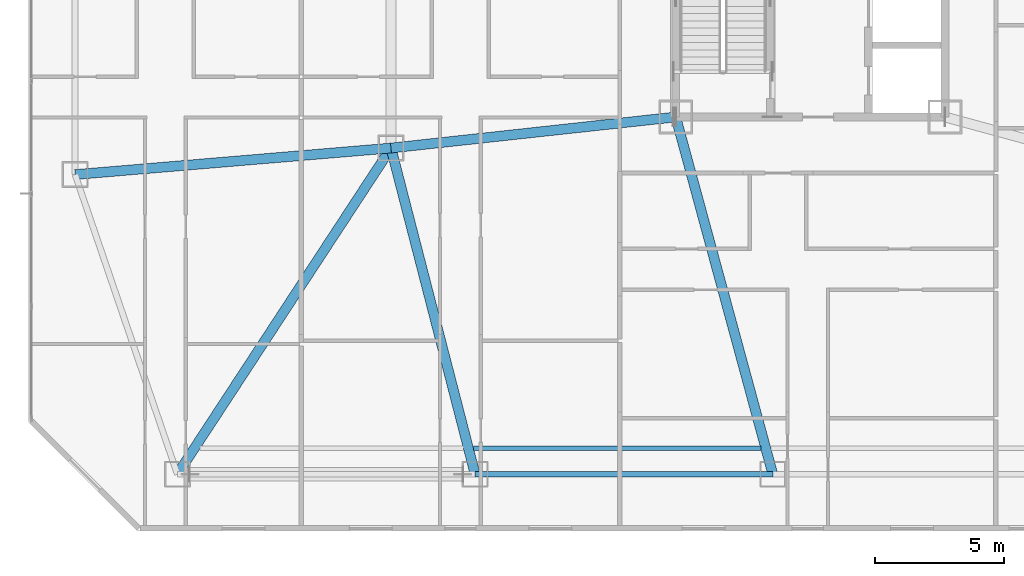
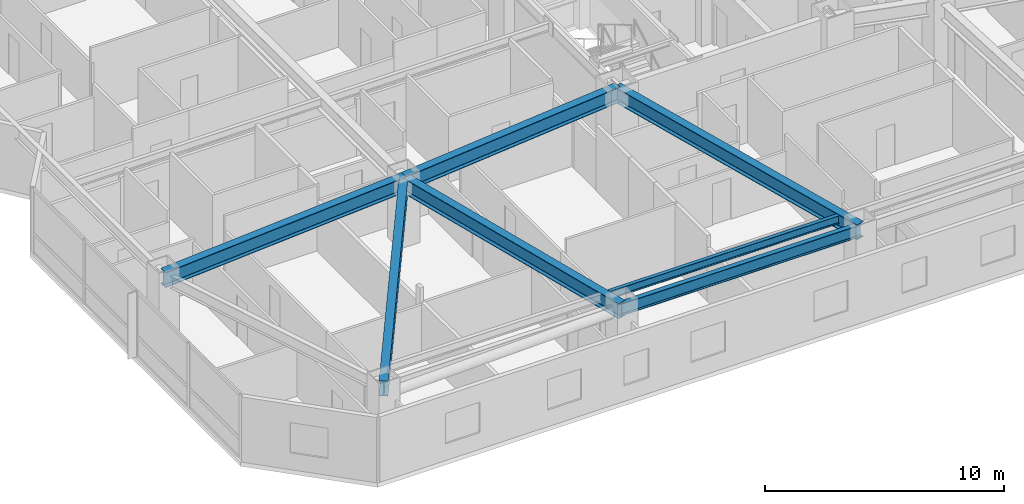
# One storey, part 5 of 18: 7 beams.
"""IFC4 building model written with IfcOpenShell, lengths in metres."""

from ifc_helpers import new_model, si_unit, direction, frame, origin, origin_2d, place, context, subcontext, project, spatial, i_section, extrude, material, material_profile, profile_set, type_object, element, save


model = new_model("IFC4")

# Units and contexts
model_context = context("Model", 3, precision=1e-05, world=origin(), true_north=direction((0.0, 1.0)))
body_context = subcontext(model_context, "Body", "Model", "MODEL_VIEW")
ifc_project = project(units=[si_unit("LENGTHUNIT", "METRE"), si_unit("AREAUNIT", "SQUARE_METRE"), si_unit("VOLUMEUNIT", "CUBIC_METRE"), si_unit("PLANEANGLEUNIT", "RADIAN"), si_unit("MASSUNIT", "GRAM", prefix="KILO")], contexts=[model_context])

# Site, building, storey
site_placement = place(None, origin())
site = spatial("IfcSite", under=ifc_project, at=site_placement, CompositionType="ELEMENT")
building_placement = place(site_placement, origin())
building = spatial("IfcBuilding", under=site, at=building_placement, Name="Khamvora Tower", CompositionType="ELEMENT")
storey_placement = place(building_placement, frame((0.0, 0.0, 80.75)))
storey = spatial("IfcBuildingStorey", under=building, at=storey_placement, Name="L20", CompositionType="ELEMENT", Elevation=80.75)

# Beams
ifc_material = material(Name="Steel S355", Category="steel")
ifc_material_profile_1 = material_profile(ifc_material, i_section(OverallWidth=0.177978515625, OverallDepth=0.406982421875, WebThickness=0.008056640625, FlangeThickness=0.012939453125, FilletRadius=0.010009765625, at=origin_2d()), Name="W410x60")
ifc_profile_set_1 = profile_set([ifc_material_profile_1], Name="Steel S355")
beam_type_1 = type_object("IfcBeamType", Name="BM-JS-W410x60", PredefinedType="JOIST", material=ifc_profile_set_1)
beam_1_placement = place(storey_placement, frame((21.18408203125, 6.199951171875, 3.1259765625), z_axis=(1.0, 0.0, 0.0), x_axis=(0.0, 1.0, 0.0)))
element("IfcBeam", 1, at=beam_1_placement, inside=storey, type_object=beam_type_1, Name="L20 secondary floor joist 02", PredefinedType="JOIST", context=body_context, shape_type="SweptSolid", body=[
    extrude(i_section(OverallWidth=0.177978515625, OverallDepth=0.406982421875, WebThickness=0.008056640625, FlangeThickness=0.012939453125, FilletRadius=0.010009765625, at=origin_2d()), origin(), (0.0, 0.0, 1.0), 11.101806640625),
])
ifc_material_profile_2 = material_profile(ifc_material, i_section(OverallWidth=0.381103515625, OverallDepth=0.77294921875, WebThickness=0.01708984375, FlangeThickness=0.027099609375, FilletRadius=0.01806640625, at=origin_2d()), Name="W760x257")
ifc_profile_set_2 = profile_set([ifc_material_profile_2], Name="Steel S355")
beam_type_2 = type_object("IfcBeamType", Name="BM-PG-W760x257", PredefinedType="BEAM", material=ifc_profile_set_2)
beam_2_placement = place(storey_placement, frame((18.0, 17.800048828125, 2.944091796875), z_axis=(-0.547782969742, -0.836620474325, 0.0), x_axis=(0.836620474325, -0.547782969742, 0.0)))
element("IfcBeam", 2, at=beam_2_placement, inside=storey, type_object=beam_type_2, Name="L20 primary floor girder S1", PredefinedType="BEAM", context=body_context, shape_type="SweptSolid", body=[
    extrude(i_section(OverallWidth=0.381103515625, OverallDepth=0.77294921875, WebThickness=0.01708984375, FlangeThickness=0.027099609375, FilletRadius=0.01806640625, at=origin_2d()), origin(), (0.0, 0.0, 1.0), 15.060791015625),
])
beam_3_placement = place(storey_placement, frame((18.0, 17.800048828125, 2.944091796875), z_axis=(0.249759990341, -0.968307775051, 0.0), x_axis=(0.968307775051, 0.249759990341, 0.0)))
element("IfcBeam", 3, at=beam_3_placement, inside=storey, type_object=beam_type_2, Name="L20 primary floor girder S2", PredefinedType="BEAM", context=body_context, shape_type="SweptSolid", body=[
    extrude(i_section(OverallWidth=0.381103515625, OverallDepth=0.77294921875, WebThickness=0.01708984375, FlangeThickness=0.027099609375, FilletRadius=0.01806640625, at=origin_2d()), origin(), (0.0, 0.0, 1.0), 13.012451171875),
])
beam_4_placement = place(storey_placement, frame((29.0, 19.0, 2.944091796875), z_axis=(0.262228883577, -0.965005706003, 0.0), x_axis=(0.965005706003, 0.262228883577, 0.0)))
element("IfcBeam", 4, at=beam_4_placement, inside=storey, type_object=beam_type_2, Name="L20 primary floor girder S3", PredefinedType="BEAM", context=body_context, shape_type="SweptSolid", body=[
    extrude(i_section(OverallWidth=0.381103515625, OverallDepth=0.77294921875, WebThickness=0.01708984375, FlangeThickness=0.027099609375, FilletRadius=0.01806640625, at=origin_2d()), origin(), (0.0, 0.0, 1.0), 14.300537109375),
])
beam_5_placement = place(storey_placement, frame((18.0, 17.800048828125, 2.944091796875), z_axis=(-0.996488172114, -0.083733642207, 0.0), x_axis=(0.083733642207, -0.996488172114, 0.0)))
element("IfcBeam", 5, at=beam_5_placement, inside=storey, type_object=beam_type_2, Name="L20 primary floor girder W1", PredefinedType="BEAM", context=body_context, shape_type="SweptSolid", body=[
    extrude(i_section(OverallWidth=0.381103515625, OverallDepth=0.77294921875, WebThickness=0.01708984375, FlangeThickness=0.027099609375, FilletRadius=0.01806640625, at=origin_2d()), origin(), (0.0, 0.0, 1.0), 12.242919921875),
])
beam_6_placement = place(storey_placement, frame((29.0, 19.0, 2.944091796875), z_axis=(-0.994102652327, -0.108443149329, 0.0), x_axis=(0.108443149329, -0.994102652327, 0.0)))
element("IfcBeam", 6, at=beam_6_placement, inside=storey, type_object=beam_type_2, Name="L20 primary floor girder MW1", PredefinedType="BEAM", context=body_context, shape_type="SweptSolid", body=[
    extrude(i_section(OverallWidth=0.381103515625, OverallDepth=0.77294921875, WebThickness=0.01708984375, FlangeThickness=0.027099609375, FilletRadius=0.01806640625, at=origin_2d()), origin(), (0.0, 0.0, 1.0), 11.065185546875),
])
ifc_material_profile_3 = material_profile(ifc_material, i_section(OverallWidth=0.22998046875, OverallDepth=0.616943359375, WebThickness=0.012939453125, FlangeThickness=0.02197265625, FilletRadius=0.013916015625, at=origin_2d()), Name="W610x140")
ifc_profile_set_3 = profile_set([ifc_material_profile_3], Name="Steel S355")
beam_type_3 = type_object("IfcBeamType", Name="BM-SP-W610x140", PredefinedType="SPANDREL", material=ifc_profile_set_3)
beam_7_placement = place(storey_placement, frame((21.25, 5.199951171875, 3.02197265625), z_axis=(1.0, 0.0, 0.0), x_axis=(0.0, 1.0, 0.0)))
element("IfcBeam", 7, at=beam_7_placement, inside=storey, type_object=beam_type_3, Name="L20 perimeter spandrel beam S2-S3", PredefinedType="SPANDREL", context=body_context, shape_type="SweptSolid", body=[
    extrude(i_section(OverallWidth=0.22998046875, OverallDepth=0.616943359375, WebThickness=0.012939453125, FlangeThickness=0.02197265625, FilletRadius=0.013916015625, at=origin_2d()), origin(), (0.0, 0.0, 1.0), 11.5),
])

save(model, "model.ifc")
